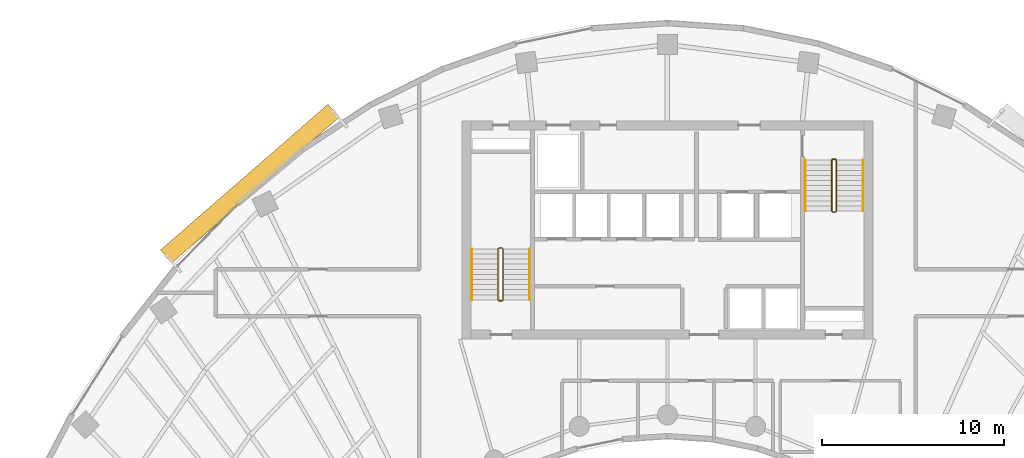
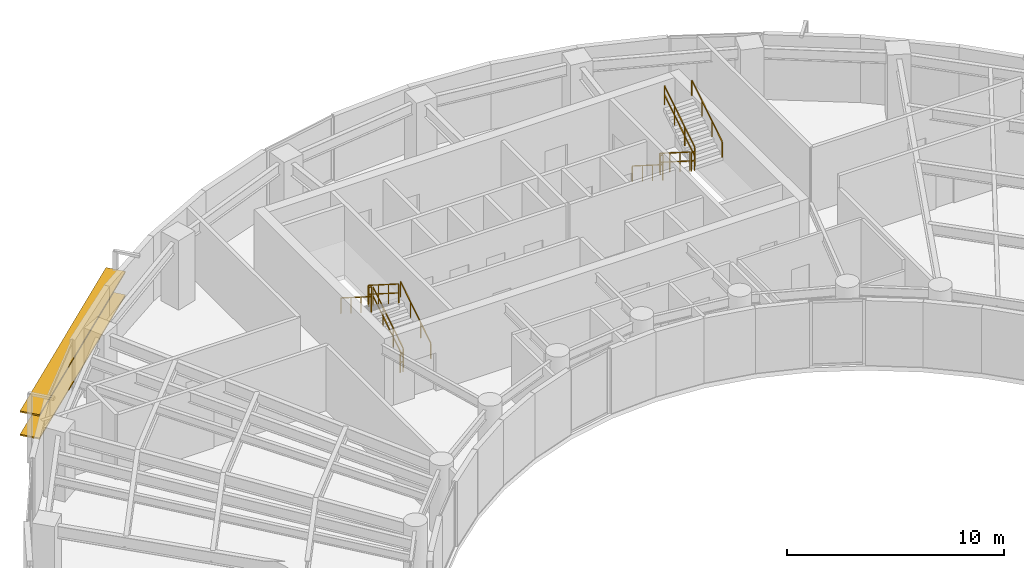
# One storey, part 12 of 13: 12 railings, 2 shading devices.
"""IFC4 building model written with IfcOpenShell, lengths in metres."""

from ifc_helpers import new_model, si_unit, direction, frame, origin, origin_2d, place, context, subcontext, project, spatial, rectangle, extrude, source, transform, mapped, material, material_profile, profile_set, type_object, type_shapes, element, save


model = new_model("IFC4")

# Units and contexts
model_context = context("Model", 3, precision=1e-05, world=origin(), true_north=direction((0.0, 1.0)))
body_context = subcontext(model_context, "Body", "Model", "MODEL_VIEW")
ifc_project = project(units=[si_unit("LENGTHUNIT", "METRE"), si_unit("AREAUNIT", "SQUARE_METRE"), si_unit("VOLUMEUNIT", "CUBIC_METRE"), si_unit("PLANEANGLEUNIT", "RADIAN"), si_unit("MASSUNIT", "GRAM", prefix="KILO")], contexts=[model_context])

# Site, building, storey
site_placement = place(None, origin())
site = spatial("IfcSite", under=ifc_project, at=site_placement, CompositionType="ELEMENT")
building_placement = place(site_placement, origin())
building = spatial("IfcBuilding", under=site, at=building_placement, Name="Breltana Convention Tower", CompositionType="ELEMENT")
storey_placement = place(building_placement, frame((0.0, 0.0, 162.300048828125)))
storey = spatial("IfcBuildingStorey", under=building, at=storey_placement, Name="L39", CompositionType="ELEMENT", Elevation=162.300048828125)

# Railings
ifc_material_1 = material(Name="Steel S275 Painted", Category="steel")
railing_type_1 = type_object("IfcRailingType", Name="RL-STAIR-GUARD-1100", PredefinedType="GUARDRAIL", material=ifc_material_1)
railing_1_placement = place(storey_placement, frame((38.9599609375, 62.360107421875, 0.17724609375)))
element("IfcRailing", 1, at=railing_1_placement, inside=storey, type_object=railing_type_1, Name="L39 ST-1 stair guard 1", PredefinedType="GUARDRAIL", context=body_context, shape_type="SweptSolid", body=[
    extrude(rectangle(XDim=0.048095703125, YDim=0.048095703125, at=origin_2d()), frame((0.0, 0.0, 1.076171875), z_axis=(0.0, 0.844887892834, 0.53494340686), x_axis=(-1.0, 0.0, 0.0)), (0.0, 0.0, 1.0), 3.313720703125),
    extrude(rectangle(XDim=0.048095703125, YDim=0.048095703125, at=origin_2d()), frame((0.0, 0.0, 0.572021484375), z_axis=(0.0, 0.844887892834, 0.53494340686), x_axis=(-1.0, 0.0, 0.0)), (0.0, 0.0, 1.0), 3.313720703125),
    extrude(rectangle(XDim=0.0419921875, YDim=0.0419921875, at=origin_2d()), origin(), (0.0, 0.0, 1.0), 1.052001953125),
    extrude(rectangle(XDim=0.0419921875, YDim=0.0419921875, at=origin_2d()), frame((0.0, 0.933349609375, 0.5908203125)), (0.0, 0.0, 1.0), 1.052001953125),
    extrude(rectangle(XDim=0.0419921875, YDim=0.0419921875, at=origin_2d()), frame((0.0, 1.866455078125, 1.181884765625)), (0.0, 0.0, 1.0), 1.052001953125),
    extrude(rectangle(XDim=0.0419921875, YDim=0.0419921875, at=origin_2d()), frame((0.0, 2.7998046875, 1.772705078125)), (0.0, 0.0, 1.0), 1.052001953125),
])
railing_2_placement = place(storey_placement, frame((38.909912109375, 65.2099609375, 1.949951171875)))
element("IfcRailing", 2, at=railing_2_placement, inside=storey, type_object=railing_type_1, Name="L39 ST-1 stair guard 2", PredefinedType="GUARDRAIL", context=body_context, shape_type="SweptSolid", body=[
    extrude(rectangle(XDim=0.048095703125, YDim=0.048095703125, at=origin_2d()), frame((0.0, 0.0, 1.076171875), z_axis=(-1.0, 0.0, 0.0), x_axis=(0.0, -1.0, 0.0)), (0.0, 0.0, 1.0), 0.14990234375),
    extrude(rectangle(XDim=0.048095703125, YDim=0.048095703125, at=origin_2d()), frame((0.0, 0.0, 0.572021484375), z_axis=(-1.0, 0.0, 0.0), x_axis=(0.0, -1.0, 0.0)), (0.0, 0.0, 1.0), 0.14990234375),
    extrude(rectangle(XDim=0.0419921875, YDim=0.0419921875, at=origin_2d()), origin(), (0.0, 0.0, 1.0), 1.052001953125),
    extrude(rectangle(XDim=0.0419921875, YDim=0.0419921875, at=origin_2d()), frame((-0.14990234375, 0.0, 0.0)), (0.0, 0.0, 1.0), 1.052001953125),
])
railing_3_placement = place(storey_placement, frame((38.7099609375, 65.159912109375, 2.127197265625)))
element("IfcRailing", 3, at=railing_3_placement, inside=storey, type_object=railing_type_1, Name="L39 ST-1 stair guard 3", PredefinedType="GUARDRAIL", context=body_context, shape_type="SweptSolid", body=[
    extrude(rectangle(XDim=0.048095703125, YDim=0.048095703125, at=origin_2d()), frame((0.0, 0.0, 1.076171875), z_axis=(0.0, -0.844887892834, 0.53494340686), x_axis=(1.0, 0.0, 0.0)), (0.0, 0.0, 1.0), 3.313720703125),
    extrude(rectangle(XDim=0.048095703125, YDim=0.048095703125, at=origin_2d()), frame((0.0, 0.0, 0.572021484375), z_axis=(0.0, -0.844887892834, 0.53494340686), x_axis=(1.0, 0.0, 0.0)), (0.0, 0.0, 1.0), 3.313720703125),
    extrude(rectangle(XDim=0.0419921875, YDim=0.0419921875, at=origin_2d()), origin(), (0.0, 0.0, 1.0), 1.052001953125),
    extrude(rectangle(XDim=0.0419921875, YDim=0.0419921875, at=origin_2d()), frame((0.0, -0.933349609375, 0.5908203125)), (0.0, 0.0, 1.0), 1.052001953125),
    extrude(rectangle(XDim=0.0419921875, YDim=0.0419921875, at=origin_2d()), frame((0.0, -1.866455078125, 1.181884765625)), (0.0, 0.0, 1.0), 1.052001953125),
    extrude(rectangle(XDim=0.0419921875, YDim=0.0419921875, at=origin_2d()), frame((0.0, -2.7998046875, 1.772705078125)), (0.0, 0.0, 1.0), 1.052001953125),
])
railing_4_placement = place(storey_placement, frame((38.909912109375, 62.31005859375, 0.0)))
element("IfcRailing", 4, at=railing_4_placement, inside=storey, type_object=railing_type_1, Name="L39 ST-1 stair guard 4", PredefinedType="GUARDRAIL", context=body_context, shape_type="SweptSolid", body=[
    extrude(rectangle(XDim=0.048095703125, YDim=0.048095703125, at=origin_2d()), frame((0.0, 0.0, 1.076171875), z_axis=(-1.0, 0.0, 0.0), x_axis=(0.0, -1.0, 0.0)), (0.0, 0.0, 1.0), 0.14990234375),
    extrude(rectangle(XDim=0.048095703125, YDim=0.048095703125, at=origin_2d()), frame((0.0, 0.0, 0.572021484375), z_axis=(-1.0, 0.0, 0.0), x_axis=(0.0, -1.0, 0.0)), (0.0, 0.0, 1.0), 0.14990234375),
    extrude(rectangle(XDim=0.0419921875, YDim=0.0419921875, at=origin_2d()), origin(), (0.0, 0.0, 1.0), 1.052001953125),
    extrude(rectangle(XDim=0.0419921875, YDim=0.0419921875, at=origin_2d()), frame((-0.14990234375, 0.0, 0.0)), (0.0, 0.0, 1.0), 1.052001953125),
])
railing_5_placement = place(storey_placement, frame((57.0400390625, 70.0400390625, 0.17724609375)))
element("IfcRailing", 5, at=railing_5_placement, inside=storey, type_object=railing_type_1, Name="L39 ST-2 stair guard 1", PredefinedType="GUARDRAIL", context=body_context, shape_type="SweptSolid", body=[
    extrude(rectangle(XDim=0.048095703125, YDim=0.048095703125, at=origin_2d()), frame((0.0, 0.0, 1.076171875), z_axis=(0.0, -0.844908973607, 0.534910110503), x_axis=(1.0, 0.0, 0.0)), (0.0, 0.0, 1.0), 3.31396484375),
    extrude(rectangle(XDim=0.048095703125, YDim=0.048095703125, at=origin_2d()), frame((0.0, 0.0, 0.572021484375), z_axis=(0.0, -0.844908973607, 0.534910110503), x_axis=(1.0, 0.0, 0.0)), (0.0, 0.0, 1.0), 3.31396484375),
    extrude(rectangle(XDim=0.0419921875, YDim=0.0419921875, at=origin_2d()), origin(), (0.0, 0.0, 1.0), 1.052001953125),
    extrude(rectangle(XDim=0.0419921875, YDim=0.0419921875, at=origin_2d()), frame((0.0, -0.933349609375, 0.5908203125)), (0.0, 0.0, 1.0), 1.052001953125),
    extrude(rectangle(XDim=0.0419921875, YDim=0.0419921875, at=origin_2d()), frame((0.0, -1.86669921875, 1.181884765625)), (0.0, 0.0, 1.0), 1.052001953125),
    extrude(rectangle(XDim=0.0419921875, YDim=0.0419921875, at=origin_2d()), frame((0.0, -2.800048828125, 1.772705078125)), (0.0, 0.0, 1.0), 1.052001953125),
])
railing_6_placement = place(storey_placement, frame((57.090087890625, 67.18994140625, 1.949951171875)))
element("IfcRailing", 6, at=railing_6_placement, inside=storey, type_object=railing_type_1, Name="L39 ST-2 stair guard 2", PredefinedType="GUARDRAIL", context=body_context, shape_type="SweptSolid", body=[
    extrude(rectangle(XDim=0.048095703125, YDim=0.048095703125, at=origin_2d()), frame((0.0, 0.0, 1.076171875), z_axis=(1.0, 0.0, 0.0), x_axis=(0.0, 1.0, 0.0)), (0.0, 0.0, 1.0), 0.14990234375),
    extrude(rectangle(XDim=0.048095703125, YDim=0.048095703125, at=origin_2d()), frame((0.0, 0.0, 0.572021484375), z_axis=(1.0, 0.0, 0.0), x_axis=(0.0, 1.0, 0.0)), (0.0, 0.0, 1.0), 0.14990234375),
    extrude(rectangle(XDim=0.0419921875, YDim=0.0419921875, at=origin_2d()), origin(), (0.0, 0.0, 1.0), 1.052001953125),
    extrude(rectangle(XDim=0.0419921875, YDim=0.0419921875, at=origin_2d()), frame((0.14990234375, 0.0, 0.0)), (0.0, 0.0, 1.0), 1.052001953125),
])
railing_7_placement = place(storey_placement, frame((57.2900390625, 67.239990234375, 2.127197265625)))
element("IfcRailing", 7, at=railing_7_placement, inside=storey, type_object=railing_type_1, Name="L39 ST-2 stair guard 3", PredefinedType="GUARDRAIL", context=body_context, shape_type="SweptSolid", body=[
    extrude(rectangle(XDim=0.048095703125, YDim=0.048095703125, at=origin_2d()), frame((0.0, 0.0, 1.076171875), z_axis=(0.0, 0.844908973607, 0.534910110503), x_axis=(-1.0, 0.0, 0.0)), (0.0, 0.0, 1.0), 3.31396484375),
    extrude(rectangle(XDim=0.048095703125, YDim=0.048095703125, at=origin_2d()), frame((0.0, 0.0, 0.572021484375), z_axis=(0.0, 0.844908973607, 0.534910110503), x_axis=(-1.0, 0.0, 0.0)), (0.0, 0.0, 1.0), 3.31396484375),
    extrude(rectangle(XDim=0.0419921875, YDim=0.0419921875, at=origin_2d()), origin(), (0.0, 0.0, 1.0), 1.052001953125),
    extrude(rectangle(XDim=0.0419921875, YDim=0.0419921875, at=origin_2d()), frame((0.0, 0.933349609375, 0.5908203125)), (0.0, 0.0, 1.0), 1.052001953125),
    extrude(rectangle(XDim=0.0419921875, YDim=0.0419921875, at=origin_2d()), frame((0.0, 1.86669921875, 1.181884765625)), (0.0, 0.0, 1.0), 1.052001953125),
    extrude(rectangle(XDim=0.0419921875, YDim=0.0419921875, at=origin_2d()), frame((0.0, 2.800048828125, 1.772705078125)), (0.0, 0.0, 1.0), 1.052001953125),
])
railing_8_placement = place(storey_placement, frame((57.090087890625, 70.090087890625, 0.0)))
element("IfcRailing", 8, at=railing_8_placement, inside=storey, type_object=railing_type_1, Name="L39 ST-2 stair guard 4", PredefinedType="GUARDRAIL", context=body_context, shape_type="SweptSolid", body=[
    extrude(rectangle(XDim=0.048095703125, YDim=0.048095703125, at=origin_2d()), frame((0.0, 0.0, 1.076171875), z_axis=(1.0, 0.0, 0.0), x_axis=(0.0, 1.0, 0.0)), (0.0, 0.0, 1.0), 0.14990234375),
    extrude(rectangle(XDim=0.048095703125, YDim=0.048095703125, at=origin_2d()), frame((0.0, 0.0, 0.572021484375), z_axis=(1.0, 0.0, 0.0), x_axis=(0.0, 1.0, 0.0)), (0.0, 0.0, 1.0), 0.14990234375),
    extrude(rectangle(XDim=0.0419921875, YDim=0.0419921875, at=origin_2d()), origin(), (0.0, 0.0, 1.0), 1.052001953125),
    extrude(rectangle(XDim=0.0419921875, YDim=0.0419921875, at=origin_2d()), frame((0.14990234375, 0.0, 0.0)), (0.0, 0.0, 1.0), 1.052001953125),
])
ifc_material_2 = material(Name="Stainless Steel 316L", Category="steel")
railing_type_2 = type_object("IfcRailingType", Name="RL-STAIR-HANDRAIL-900", PredefinedType="HANDRAIL", material=ifc_material_2)
railing_9_placement = place(storey_placement, frame((40.419921875, 62.360107421875, 0.17724609375)))
element("IfcRailing", 9, at=railing_9_placement, inside=storey, type_object=railing_type_2, Name="L39 ST-1 stair handrail 1", PredefinedType="HANDRAIL", context=body_context, shape_type="SweptSolid", body=[
    extrude(rectangle(XDim=0.048095703125, YDim=0.048095703125, at=origin_2d()), frame((0.0, 0.0, 0.8759765625), z_axis=(0.0, 0.844887892834, 0.53494340686), x_axis=(-1.0, 0.0, 0.0)), (0.0, 0.0, 1.0), 3.313720703125),
    extrude(rectangle(XDim=0.0419921875, YDim=0.0419921875, at=origin_2d()), origin(), (0.0, 0.0, 1.0), 0.851806640625),
    extrude(rectangle(XDim=0.0419921875, YDim=0.0419921875, at=origin_2d()), frame((0.0, 0.933349609375, 0.5908203125)), (0.0, 0.0, 1.0), 0.851806640625),
    extrude(rectangle(XDim=0.0419921875, YDim=0.0419921875, at=origin_2d()), frame((0.0, 1.866455078125, 1.181884765625)), (0.0, 0.0, 1.0), 0.851806640625),
    extrude(rectangle(XDim=0.0419921875, YDim=0.0419921875, at=origin_2d()), frame((0.0, 2.7998046875, 1.772705078125)), (0.0, 0.0, 1.0), 0.851806640625),
])
railing_10_placement = place(storey_placement, frame((37.25, 65.159912109375, 2.127197265625)))
element("IfcRailing", 10, at=railing_10_placement, inside=storey, type_object=railing_type_2, Name="L39 ST-1 stair handrail 2", PredefinedType="HANDRAIL", context=body_context, shape_type="SweptSolid", body=[
    extrude(rectangle(XDim=0.048095703125, YDim=0.048095703125, at=origin_2d()), frame((0.0, 0.0, 0.8759765625), z_axis=(0.0, -0.844887892834, 0.53494340686), x_axis=(1.0, 0.0, 0.0)), (0.0, 0.0, 1.0), 3.313720703125),
    extrude(rectangle(XDim=0.0419921875, YDim=0.0419921875, at=origin_2d()), origin(), (0.0, 0.0, 1.0), 0.851806640625),
    extrude(rectangle(XDim=0.0419921875, YDim=0.0419921875, at=origin_2d()), frame((0.0, -0.933349609375, 0.5908203125)), (0.0, 0.0, 1.0), 0.851806640625),
    extrude(rectangle(XDim=0.0419921875, YDim=0.0419921875, at=origin_2d()), frame((0.0, -1.866455078125, 1.181884765625)), (0.0, 0.0, 1.0), 0.851806640625),
    extrude(rectangle(XDim=0.0419921875, YDim=0.0419921875, at=origin_2d()), frame((0.0, -2.7998046875, 1.772705078125)), (0.0, 0.0, 1.0), 0.851806640625),
])
railing_11_placement = place(storey_placement, frame((55.580078125, 70.0400390625, 0.17724609375)))
element("IfcRailing", 11, at=railing_11_placement, inside=storey, type_object=railing_type_2, Name="L39 ST-2 stair handrail 1", PredefinedType="HANDRAIL", context=body_context, shape_type="SweptSolid", body=[
    extrude(rectangle(XDim=0.048095703125, YDim=0.048095703125, at=origin_2d()), frame((0.0, 0.0, 0.8759765625), z_axis=(0.0, -0.844908973607, 0.534910110503), x_axis=(1.0, 0.0, 0.0)), (0.0, 0.0, 1.0), 3.31396484375),
    extrude(rectangle(XDim=0.0419921875, YDim=0.0419921875, at=origin_2d()), origin(), (0.0, 0.0, 1.0), 0.851806640625),
    extrude(rectangle(XDim=0.0419921875, YDim=0.0419921875, at=origin_2d()), frame((0.0, -0.933349609375, 0.5908203125)), (0.0, 0.0, 1.0), 0.851806640625),
    extrude(rectangle(XDim=0.0419921875, YDim=0.0419921875, at=origin_2d()), frame((0.0, -1.86669921875, 1.181884765625)), (0.0, 0.0, 1.0), 0.851806640625),
    extrude(rectangle(XDim=0.0419921875, YDim=0.0419921875, at=origin_2d()), frame((0.0, -2.800048828125, 1.772705078125)), (0.0, 0.0, 1.0), 0.851806640625),
])
railing_12_placement = place(storey_placement, frame((58.75, 67.239990234375, 2.127197265625)))
element("IfcRailing", 12, at=railing_12_placement, inside=storey, type_object=railing_type_2, Name="L39 ST-2 stair handrail 2", PredefinedType="HANDRAIL", context=body_context, shape_type="SweptSolid", body=[
    extrude(rectangle(XDim=0.048095703125, YDim=0.048095703125, at=origin_2d()), frame((0.0, 0.0, 0.8759765625), z_axis=(0.0, 0.844908973607, 0.534910110503), x_axis=(-1.0, 0.0, 0.0)), (0.0, 0.0, 1.0), 3.31396484375),
    extrude(rectangle(XDim=0.0419921875, YDim=0.0419921875, at=origin_2d()), origin(), (0.0, 0.0, 1.0), 0.851806640625),
    extrude(rectangle(XDim=0.0419921875, YDim=0.0419921875, at=origin_2d()), frame((0.0, 0.933349609375, 0.5908203125)), (0.0, 0.0, 1.0), 0.851806640625),
    extrude(rectangle(XDim=0.0419921875, YDim=0.0419921875, at=origin_2d()), frame((0.0, 1.86669921875, 1.181884765625)), (0.0, 0.0, 1.0), 0.851806640625),
    extrude(rectangle(XDim=0.0419921875, YDim=0.0419921875, at=origin_2d()), frame((0.0, 2.800048828125, 1.772705078125)), (0.0, 0.0, 1.0), 0.851806640625),
])

# Shading devices
ifc_material_3 = material(Name="Limestone Warm Buff Honed", Category="masonry")
ifc_material_profile = material_profile(ifc_material_3, rectangle(XDim=0.949951171875, YDim=0.080078125, at=origin_2d()), Name="STN-LVR-950X80")
ifc_profile_set = profile_set([ifc_material_profile], Name="Limestone Warm Buff Honed")
shading_device_type = type_object("IfcShadingDeviceType", Name="SHD-OUTER-SKIN-LIMESTONE-950", PredefinedType="JALOUSIE", material=ifc_profile_set)
shared_shape = source(origin(), body_context, "Body", "SweptSolid", [
    extrude(rectangle(XDim=0.949951171875, YDim=0.080078125, at=origin_2d()), origin(), (0.0, 0.0, 1.0), 12.1943359375),
])
type_shapes(shading_device_type, [shared_shape])
for number, where, z_axis, x_axis, name in (
    (13, (20.451904296875, 64.74951171875, 1.31396484375), (0.754361083307, 0.656459713914, 0.0), (-0.656459713914, 0.754361083307, 0.0), "L39 outer skin warm limestone louvre 1.1"),
    (14, (20.451904296875, 64.74951171875, 2.6279296875), (0.754361083307, 0.656459713914, 0.0), (-0.656459713914, 0.754361083307, 0.0), "L39 outer skin warm limestone louvre 1.2"),
):
    element("IfcShadingDevice", number, at=place(storey_placement, frame(where, z_axis=z_axis, x_axis=x_axis)), inside=storey, type_object=shading_device_type, Name=name, PredefinedType="JALOUSIE", context=body_context, shape_type="MappedRepresentation", body=[
        mapped(shared_shape, transform((0.0, 0.0, 0.0), scale=1.0)),
    ])

save(model, "model.ifc")
